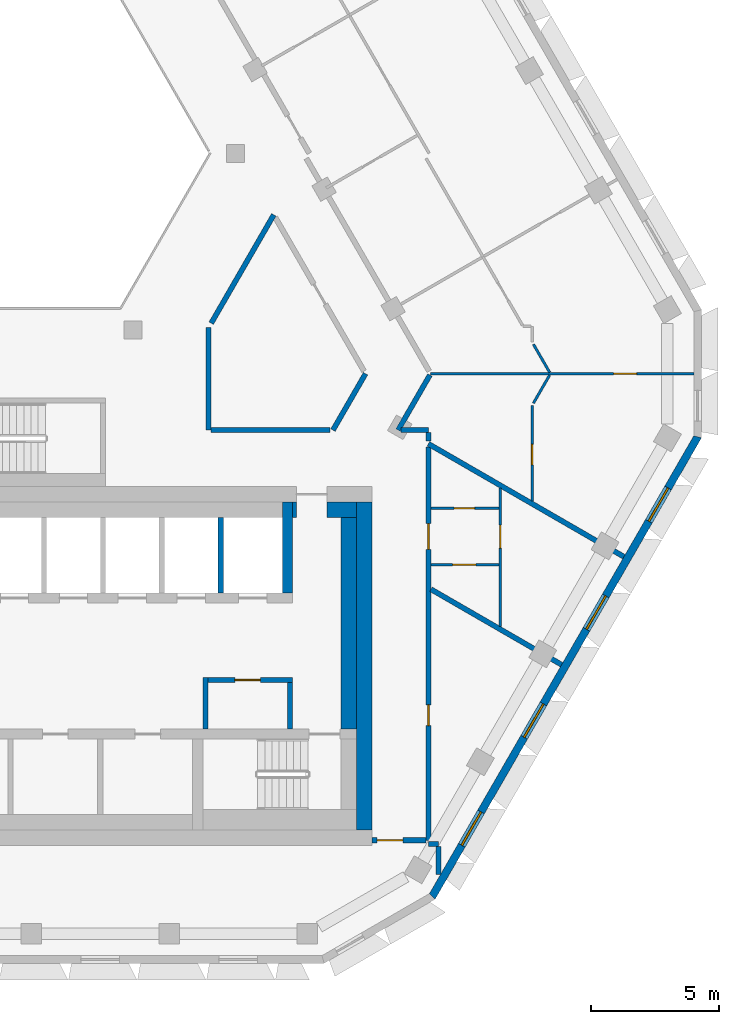
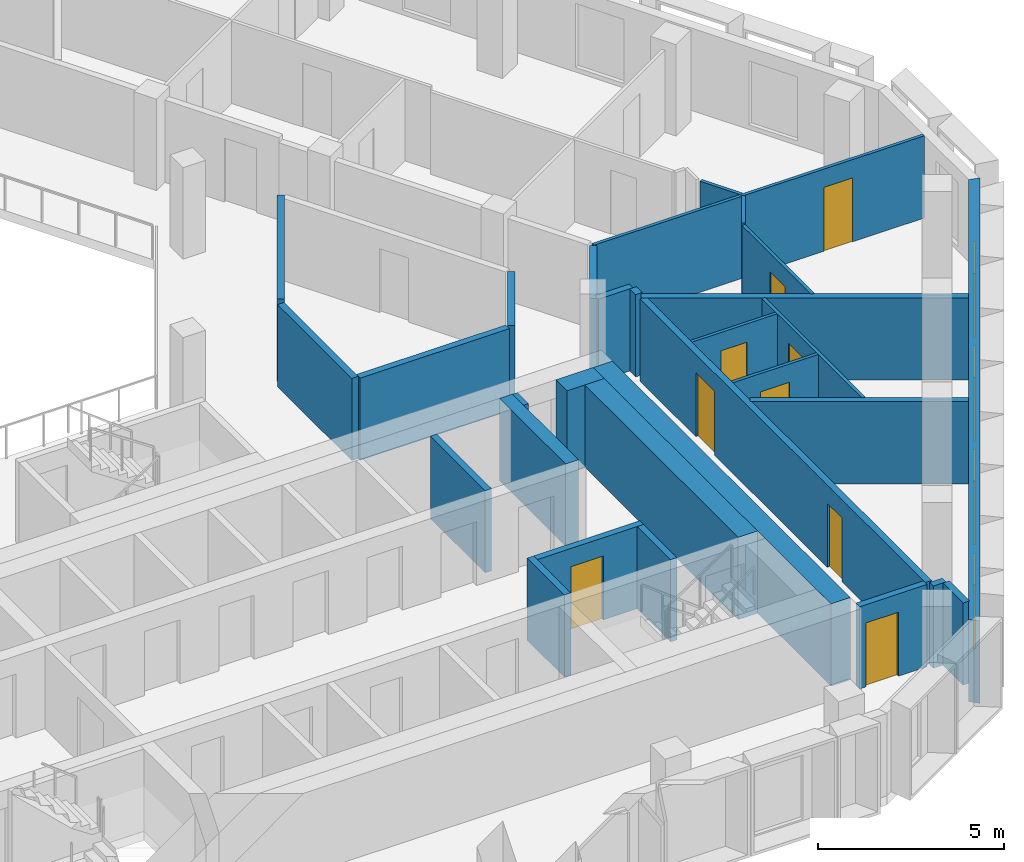
# One storey, part 5 of 15: 30 walls, 9 doors, 4 windows, 13 openings.
"""IFC4 building model written with IfcOpenShell, lengths in metres."""

from ifc_helpers import new_model, si_unit, direction, frame, frame_2d, origin, place, context, subcontext, project, spatial, polyline, rectangle, outline, extrude, material, layer, layer_set, type_object, element, fill, save


model = new_model("IFC4")

# Units and contexts
model_context = context("Model", 3, precision=1e-05, world=origin(), true_north=direction((0.0, 1.0)))
body_context = subcontext(model_context, "Body", "Model", "MODEL_VIEW")
ifc_project = project(units=[si_unit("LENGTHUNIT", "METRE"), si_unit("AREAUNIT", "SQUARE_METRE"), si_unit("VOLUMEUNIT", "CUBIC_METRE"), si_unit("PLANEANGLEUNIT", "RADIAN"), si_unit("MASSUNIT", "GRAM", prefix="KILO")], contexts=[model_context])

# Site, building, storey
site_placement = place(None, origin())
site = spatial("IfcSite", under=ifc_project, at=site_placement, CompositionType="ELEMENT")
building_placement = place(site_placement, origin())
building = spatial("IfcBuilding", under=site, at=building_placement, Name="Beryl Residences", CompositionType="ELEMENT")
storey_placement = place(building_placement, frame((0.0, 0.0, 163.199951171875)))
storey = spatial("IfcBuildingStorey", under=building, at=storey_placement, Name="L49", CompositionType="ELEMENT", Elevation=163.199951171875)

# Wall, openings, windows
ifc_material_1 = material(Name="Composite metal panel with mineral wool insulation")
ifc_layer_1 = layer(ifc_material_1, 0.300048828125)
ifc_layer_set_1 = layer_set([ifc_layer_1], Name="ES1 pale metal composite panel wall 300 mm")
wall_type_1 = type_object("IfcWallType", Name="ES1 pale metal composite panel wall 300 mm", PredefinedType="SOLIDWALL", material=ifc_layer_set_1)
wall_1_placement = place(storey_placement, frame((15.631103515625, -21.02490234375, 0.0), z_axis=(0.0, 0.0, 1.0), x_axis=(0.500018670445, 0.86601462413, 0.0)))
wall_1 = element("IfcWall", 1, at=wall_1_placement, inside=storey, type_object=wall_type_1, Name="ES1 external wall L49 SE", PredefinedType="SOLIDWALL", context=body_context, shape_type="SweptSolid", body=[
    extrude(outline(polyline([(0.0, -0.14990234375), (20.784912109375, -0.14990234375), (20.70458984375, 0.14990234375), (0.080322265625, 0.14990234375), (0.0, -0.14990234375)])), origin(), (0.0, 0.0, 1.0), 2.699951171875),
])
opening_1_placement = place(wall_1_placement, frame((2.345947265625, 0.0, 0.14990234375)))
opening_1 = element("IfcOpeningElement", 2, at=opening_1_placement, cuts=wall_1, Name="Opening W1", PredefinedType="OPENING", context=body_context, shape_type="SweptSolid", body=[
    extrude(rectangle(XDim=1.5, YDim=2.10009765625, at=frame_2d((0.75, 1.050048828125))), frame((0.0, 0.159912109375, 0.0), z_axis=(0.0, -1.0, 0.0), x_axis=(1.0, 0.0, 0.0)), (0.0, 0.0, 1.0), 0.320068359375),
])
opening_2_placement = place(wall_1_placement, frame((7.2099609375, 0.0, 0.14990234375)))
opening_2 = element("IfcOpeningElement", 3, at=opening_2_placement, cuts=wall_1, Name="Opening W1", PredefinedType="OPENING", context=body_context, shape_type="SweptSolid", body=[
    extrude(rectangle(XDim=1.5, YDim=2.10009765625, at=frame_2d((0.75, 1.050048828125))), frame((0.0, 0.159912109375, 0.0), z_axis=(0.0, -1.0, 0.0), x_axis=(1.0, 0.0, 0.0)), (0.0, 0.0, 1.0), 0.320068359375),
])
opening_3_placement = place(wall_1_placement, frame((12.072998046875, 0.0, 0.14990234375)))
opening_3 = element("IfcOpeningElement", 4, at=opening_3_placement, cuts=wall_1, Name="Opening W1", PredefinedType="OPENING", context=body_context, shape_type="SweptSolid", body=[
    extrude(rectangle(XDim=1.5, YDim=2.10009765625, at=frame_2d((0.75, 1.050048828125))), frame((0.0, 0.159912109375, 0.0), z_axis=(0.0, -1.0, 0.0), x_axis=(1.0, 0.0, 0.0)), (0.0, 0.0, 1.0), 0.320068359375),
])
opening_4_placement = place(wall_1_placement, frame((16.93798828125, 0.0, 0.14990234375)))
opening_4 = element("IfcOpeningElement", 5, at=opening_4_placement, cuts=wall_1, Name="Opening W1", PredefinedType="OPENING", context=body_context, shape_type="SweptSolid", body=[
    extrude(rectangle(XDim=1.5, YDim=2.10009765625, at=frame_2d((0.75, 1.050048828125))), frame((0.0, 0.159912109375, 0.0), z_axis=(0.0, -1.0, 0.0), x_axis=(1.0, 0.0, 0.0)), (0.0, 0.0, 1.0), 0.320068359375),
])
ifc_material_2 = material(Name="Aluminium and clear glass", Category="aluminium")
window_type = type_object("IfcWindowType", Name="W1 cell window 1500 x 2100 mm", PartitioningType="SINGLE_PANEL", PredefinedType="WINDOW", material=ifc_material_2)
window_1_placement = place(opening_1_placement, origin())
window_1 = element("IfcWindow", 6, at=window_1_placement, inside=storey, type_object=window_type, Name="W1 window L49 SE 2", OverallHeight=2.10009765625, OverallWidth=1.5, PartitioningType="SINGLE_PANEL", PredefinedType="WINDOW", context=body_context, shape_type="SweptSolid", body=[
    extrude(rectangle(XDim=1.5, YDim=2.10009765625, at=frame_2d((0.75, 1.050048828125))), frame((0.0, 0.030029296875, 0.0), z_axis=(0.0, -1.0, 0.0), x_axis=(1.0, 0.0, 0.0)), (0.0, 0.0, 1.0), 0.06005859375),
])
fill(opening_1, window_1)
window_2_placement = place(opening_2_placement, origin())
window_2 = element("IfcWindow", 7, at=window_2_placement, inside=storey, type_object=window_type, Name="W1 window L49 SE 4", OverallHeight=2.10009765625, OverallWidth=1.5, PartitioningType="SINGLE_PANEL", PredefinedType="WINDOW", context=body_context, shape_type="SweptSolid", body=[
    extrude(rectangle(XDim=1.5, YDim=2.10009765625, at=frame_2d((0.75, 1.050048828125))), frame((0.0, 0.030029296875, 0.0), z_axis=(0.0, -1.0, 0.0), x_axis=(1.0, 0.0, 0.0)), (0.0, 0.0, 1.0), 0.06005859375),
])
fill(opening_2, window_2)
window_3_placement = place(opening_3_placement, origin())
window_3 = element("IfcWindow", 8, at=window_3_placement, inside=storey, type_object=window_type, Name="W1 window L49 SE 6", OverallHeight=2.10009765625, OverallWidth=1.5, PartitioningType="SINGLE_PANEL", PredefinedType="WINDOW", context=body_context, shape_type="SweptSolid", body=[
    extrude(rectangle(XDim=1.5, YDim=2.10009765625, at=frame_2d((0.75, 1.050048828125))), frame((0.0, 0.030029296875, 0.0), z_axis=(0.0, -1.0, 0.0), x_axis=(1.0, 0.0, 0.0)), (0.0, 0.0, 1.0), 0.06005859375),
])
fill(opening_3, window_3)
window_4_placement = place(opening_4_placement, origin())
window_4 = element("IfcWindow", 9, at=window_4_placement, inside=storey, type_object=window_type, Name="W1 window L49 SE 8", OverallHeight=2.10009765625, OverallWidth=1.5, PartitioningType="SINGLE_PANEL", PredefinedType="WINDOW", context=body_context, shape_type="SweptSolid", body=[
    extrude(rectangle(XDim=1.5, YDim=2.10009765625, at=frame_2d((0.75, 1.050048828125))), frame((0.0, 0.030029296875, 0.0), z_axis=(0.0, -1.0, 0.0), x_axis=(1.0, 0.0, 0.0)), (0.0, 0.0, 1.0), 0.06005859375),
])
fill(opening_4, window_4)

# Wall
ifc_material_3 = material(Name="Gypsum board partition on steel studs", Category="steel")
ifc_layer_2 = layer(ifc_material_3, 0.10009765625)
ifc_layer_set_2 = layer_set([ifc_layer_2], Name="PT1 partition 100 mm gypsum board on steel studs")
wall_type_2 = type_object("IfcWallType", Name="PT1 partition 100 mm gypsum board on steel studs", PredefinedType="PARTITIONING", material=ifc_layer_set_2)
wall_2_placement = place(storey_placement, frame((19.596923828125, 0.551025390625, 0.0), z_axis=(0.0, 0.0, 1.0), x_axis=(0.499922110319, -0.866070368743, 0.0)))
element("IfcWall", 10, at=wall_2_placement, inside=storey, type_object=wall_type_2, Name="Wall PT1 L49 004", PredefinedType="PARTITIONING", context=body_context, shape_type="SweptSolid", body=[
    extrude(rectangle(XDim=1.270263671875, YDim=0.10009765625, at=frame_2d((0.63525390625, 0.0))), origin(), (0.0, 0.0, 1.0), 2.699951171875),
])

# Wall, opening, door
wall_3_placement = place(storey_placement, frame((15.60009765625, -5.85107421875, 0.0), z_axis=(0.0, 0.0, 1.0), x_axis=(1.0, 0.0, 0.0)))
wall_3 = element("IfcWall", 11, at=wall_3_placement, inside=storey, type_object=wall_type_2, Name="Wall PT1 L49 017", PredefinedType="PARTITIONING", context=body_context, shape_type="SweptSolid", body=[
    extrude(rectangle(XDim=2.64990234375, YDim=0.10009765625, at=frame_2d((1.324951171875, 0.0))), origin(), (0.0, 0.0, 1.0), 2.699951171875),
])
opening_5_placement = place(wall_3_placement, frame((0.89990234375, 0.0, 0.0)))
opening_5 = element("IfcOpeningElement", 12, at=opening_5_placement, cuts=wall_3, Name="Opening D1612", PredefinedType="OPENING", context=body_context, shape_type="SweptSolid", body=[
    extrude(rectangle(XDim=0.800048828125, YDim=2.10009765625, at=frame_2d((0.39990234375, 1.050048828125))), frame((0.0, 0.06005859375, 0.0), z_axis=(0.0, -1.0, 0.0), x_axis=(1.0, 0.0, 0.0)), (0.0, 0.0, 1.0), 0.1201171875),
])
ifc_material_4 = material(Name="Timber door leaf", Category="wood")
door_type_1 = type_object("IfcDoorType", Name="D3 bathroom door 800 x 2100 mm", OperationType="SINGLE_SWING_LEFT", PredefinedType="DOOR", material=ifc_material_4)
door_1_placement = place(opening_5_placement, origin())
door_1 = element("IfcDoor", 13, at=door_1_placement, inside=storey, type_object=door_type_1, Name="Door D1612 L49 001", OperationType="SINGLE_SWING_RIGHT", OverallHeight=2.10009765625, OverallWidth=0.800048828125, PredefinedType="DOOR", context=body_context, shape_type="SweptSolid", body=[
    extrude(rectangle(XDim=0.800048828125, YDim=2.10009765625, at=frame_2d((0.39990234375, 1.050048828125))), frame((0.0, 0.02490234375, 0.0), z_axis=(0.0, -1.0, 0.0), x_axis=(1.0, 0.0, 0.0)), (0.0, 0.0, 1.0), 0.050048828125),
])
fill(opening_5, door_1)

wall_4_placement = place(storey_placement, frame((15.587890625, -0.59912109375, 0.0), z_axis=(0.0, 0.0, 1.0), x_axis=(1.0, 0.0, 0.0)))
wall_4 = element("IfcWall", 14, at=wall_4_placement, inside=storey, type_object=wall_type_2, Name="Wall PT1 L49 018", PredefinedType="PARTITIONING", context=body_context, shape_type="SweptSolid", body=[
    extrude(rectangle(XDim=10.26611328125, YDim=0.10009765625, at=frame_2d((5.133056640625, 0.0))), origin(), (0.0, 0.0, 1.0), 2.699951171875),
])
opening_6_placement = place(wall_4_placement, frame((7.135009765625, 0.0, 0.0)))
opening_6 = element("IfcOpeningElement", 15, at=opening_6_placement, cuts=wall_4, Name="Opening D1621", PredefinedType="OPENING", context=body_context, shape_type="SweptSolid", body=[
    extrude(rectangle(XDim=0.89990234375, YDim=2.10009765625, at=frame_2d((0.449951171875, 1.050048828125))), frame((0.0, 0.06005859375, 0.0), z_axis=(0.0, -1.0, 0.0), x_axis=(1.0, 0.0, 0.0)), (0.0, 0.0, 1.0), 0.1201171875),
])
ifc_material_5 = material(Name="Timber door leaf", Category="wood")
door_type_2 = type_object("IfcDoorType", Name="D2 room door 900 x 2100 mm", OperationType="SINGLE_SWING_LEFT", PredefinedType="DOOR", material=ifc_material_5)
door_2_placement = place(opening_6_placement, origin())
door_2 = element("IfcDoor", 16, at=door_2_placement, inside=storey, type_object=door_type_2, Name="Door D1621 L49 001", OperationType="SINGLE_SWING_LEFT", OverallHeight=2.10009765625, OverallWidth=0.89990234375, PredefinedType="DOOR", context=body_context, shape_type="SweptSolid", body=[
    extrude(rectangle(XDim=0.89990234375, YDim=2.10009765625, at=frame_2d((0.449951171875, 1.050048828125))), frame((0.0, 0.02490234375, 0.0), z_axis=(0.0, -1.0, 0.0), x_axis=(1.0, 0.0, 0.0)), (0.0, 0.0, 1.0), 0.050048828125),
])
fill(opening_6, door_2)

wall_5_placement = place(storey_placement, frame((15.60009765625, -8.051025390625, 0.0), z_axis=(0.0, 0.0, 1.0), x_axis=(1.0, 0.0, 0.0)))
wall_5 = element("IfcWall", 17, at=wall_5_placement, inside=storey, type_object=wall_type_2, Name="Wall PT1 L49 019", PredefinedType="PARTITIONING", context=body_context, shape_type="SweptSolid", body=[
    extrude(rectangle(XDim=2.64990234375, YDim=0.10009765625, at=frame_2d((1.324951171875, 0.0))), origin(), (0.0, 0.0, 1.0), 2.699951171875),
])
opening_7_placement = place(wall_5_placement, frame((0.85009765625, 0.0, 0.0)))
opening_7 = element("IfcOpeningElement", 18, at=opening_7_placement, cuts=wall_5, Name="Opening D1613", PredefinedType="OPENING", context=body_context, shape_type="SweptSolid", body=[
    extrude(rectangle(XDim=0.89990234375, YDim=2.10009765625, at=frame_2d((0.449951171875, 1.050048828125))), frame((0.0, 0.06005859375, 0.0), z_axis=(0.0, -1.0, 0.0), x_axis=(1.0, 0.0, 0.0)), (0.0, 0.0, 1.0), 0.1201171875),
])
door_3_placement = place(opening_7_placement, origin())
door_3 = element("IfcDoor", 19, at=door_3_placement, inside=storey, type_object=door_type_2, Name="Door D1613 L49 001", OperationType="SINGLE_SWING_LEFT", OverallHeight=2.10009765625, OverallWidth=0.89990234375, PredefinedType="DOOR", context=body_context, shape_type="SweptSolid", body=[
    extrude(rectangle(XDim=0.89990234375, YDim=2.10009765625, at=frame_2d((0.449951171875, 1.050048828125))), frame((0.0, 0.02490234375, 0.0), z_axis=(0.0, -1.0, 0.0), x_axis=(1.0, 0.0, 0.0)), (0.0, 0.0, 1.0), 0.050048828125),
])
fill(opening_7, door_3)

# Wall
wall_6_placement = place(storey_placement, frame((19.596923828125, -1.75, 0.0), z_axis=(0.0, 0.0, 1.0), x_axis=(0.499589422776, 0.866262320923, 0.0)))
element("IfcWall", 20, at=wall_6_placement, inside=storey, type_object=wall_type_2, Name="Wall PT1 L49 025", PredefinedType="PARTITIONING", context=body_context, shape_type="SweptSolid", body=[
    extrude(rectangle(XDim=1.27099609375, YDim=0.10009765625, at=frame_2d((0.635498046875, 0.0))), origin(), (0.0, 0.0, 1.0), 2.699951171875),
])

# Wall, opening, door
wall_7_placement = place(storey_placement, frame((18.300048828125, -10.451904296875, 0.0), z_axis=(0.0, 0.0, 1.0), x_axis=(0.0, 1.0, 0.0)))
wall_7 = element("IfcWall", 21, at=wall_7_placement, inside=storey, type_object=wall_type_2, Name="Wall PT1 L49 033", PredefinedType="PARTITIONING", context=body_context, shape_type="SweptSolid", body=[
    extrude(rectangle(XDim=5.385986328125, YDim=0.10009765625, at=frame_2d((2.69287109375, 0.0))), origin(), (0.0, 0.0, 1.0), 2.699951171875),
])
opening_8_placement = place(wall_7_placement, frame((3.051025390625, 0.0, 0.0)))
opening_8 = element("IfcOpeningElement", 22, at=opening_8_placement, cuts=wall_7, Name="Opening D1614", PredefinedType="OPENING", context=body_context, shape_type="SweptSolid", body=[
    extrude(rectangle(XDim=0.89990234375, YDim=2.10009765625, at=frame_2d((0.449951171875, 1.050048828125))), frame((0.0, 0.06005859375, 0.0), z_axis=(0.0, -1.0, 0.0), x_axis=(1.0, 0.0, 0.0)), (0.0, 0.0, 1.0), 0.1201171875),
])
door_4_placement = place(opening_8_placement, origin())
door_4 = element("IfcDoor", 23, at=door_4_placement, inside=storey, type_object=door_type_2, Name="Door D1614 L49 001", OperationType="SINGLE_SWING_RIGHT", OverallHeight=2.10009765625, OverallWidth=0.89990234375, PredefinedType="DOOR", context=body_context, shape_type="SweptSolid", body=[
    extrude(rectangle(XDim=0.89990234375, YDim=2.10009765625, at=frame_2d((0.449951171875, 1.050048828125))), frame((0.0, 0.02490234375, 0.0), z_axis=(0.0, -1.0, 0.0), x_axis=(1.0, 0.0, 0.0)), (0.0, 0.0, 1.0), 0.050048828125),
])
fill(opening_8, door_4)

wall_8_placement = place(storey_placement, frame((19.547119140625, -5.554931640625, 0.0), z_axis=(0.0, 0.0, 1.0), x_axis=(0.0, 1.0, 0.0)))
wall_8 = element("IfcWall", 24, at=wall_8_placement, inside=storey, type_object=wall_type_2, Name="Wall PT1 L49 034", PredefinedType="PARTITIONING", context=body_context, shape_type="SweptSolid", body=[
    extrude(rectangle(XDim=3.718994140625, YDim=0.10009765625, at=frame_2d((1.859375, 0.0))), origin(), (0.0, 0.0, 1.0), 2.699951171875),
])
opening_9_placement = place(wall_8_placement, frame((1.402099609375, 0.0, 0.0)))
opening_9 = element("IfcOpeningElement", 25, at=opening_9_placement, cuts=wall_8, Name="Opening D1623", PredefinedType="OPENING", context=body_context, shape_type="SweptSolid", body=[
    extrude(rectangle(XDim=0.800048828125, YDim=2.10009765625, at=frame_2d((0.39990234375, 1.050048828125))), frame((0.0, 0.06005859375, 0.0), z_axis=(0.0, -1.0, 0.0), x_axis=(1.0, 0.0, 0.0)), (0.0, 0.0, 1.0), 0.1201171875),
])
door_5_placement = place(opening_9_placement, origin())
door_5 = element("IfcDoor", 26, at=door_5_placement, inside=storey, type_object=door_type_1, Name="Door D1623 L49 001", OperationType="SINGLE_SWING_LEFT", OverallHeight=2.10009765625, OverallWidth=0.800048828125, PredefinedType="DOOR", context=body_context, shape_type="SweptSolid", body=[
    extrude(rectangle(XDim=0.800048828125, YDim=2.10009765625, at=frame_2d((0.39990234375, 1.050048828125))), frame((0.0, 0.02490234375, 0.0), z_axis=(0.0, -1.0, 0.0), x_axis=(1.0, 0.0, 0.0)), (0.0, 0.0, 1.0), 0.050048828125),
])
fill(opening_9, door_5)

# Wall
ifc_material_6 = material(Name="Concrete masonry", Category="masonry")
ifc_layer_3 = layer(ifc_material_6, 0.199951171875)
ifc_layer_set_3 = layer_set([ifc_layer_3], Name="PT13 lobby wall 200 mm")
wall_type_3 = type_object("IfcWallType", Name="PT13 lobby wall 200 mm", PredefinedType="PARTITIONING", material=ifc_layer_set_3)
wall_9_placement = place(storey_placement, frame((6.800048828125, -14.449951171875, 0.0), z_axis=(0.0, 0.0, 1.0), x_axis=(0.0, 1.0, 0.0)))
element("IfcWall", 27, at=wall_9_placement, inside=storey, type_object=wall_type_3, Name="Lobby wall 24", PredefinedType="PARTITIONING", context=body_context, shape_type="SweptSolid", body=[
    extrude(rectangle(XDim=2.0, YDim=0.199951171875, at=frame_2d((1.0, 0.0))), origin(), (0.0, 0.0, 1.0), 2.699951171875),
])

# Wall, opening, door
wall_10_placement = place(storey_placement, frame((6.89990234375, -12.550048828125, 0.0), z_axis=(0.0, 0.0, 1.0), x_axis=(1.0, 0.0, 0.0)))
wall_10 = element("IfcWall", 28, at=wall_10_placement, inside=storey, type_object=wall_type_3, Name="Lobby wall 25", PredefinedType="PARTITIONING", context=body_context, shape_type="SweptSolid", body=[
    extrude(rectangle(XDim=3.300048828125, YDim=0.199951171875, at=frame_2d((1.64990234375, 0.0))), origin(), (0.0, 0.0, 1.0), 2.699951171875),
])
opening_10_placement = place(wall_10_placement, frame((2.050048828125, 0.0, 0.0), z_axis=(0.0, 0.0, 1.0), x_axis=(-1.0, 0.0, 0.0)))
opening_10 = element("IfcOpeningElement", 29, at=opening_10_placement, cuts=wall_10, Name="Opening CD-D-A1", PredefinedType="OPENING", context=body_context, shape_type="SweptSolid", body=[
    extrude(rectangle(XDim=1.0, YDim=2.10009765625, at=frame_2d((0.5, 1.050048828125))), frame((0.0, 0.10986328125, 0.0), z_axis=(0.0, -1.0, 0.0), x_axis=(1.0, 0.0, 0.0)), (0.0, 0.0, 1.0), 0.219970703125),
])
ifc_material_7 = material(Name="Steel door leaf in steel frame", Category="steel")
door_type_3 = type_object("IfcDoorType", Name="D18 service room door 1000 x 2100 mm", OperationType="SINGLE_SWING_LEFT", PredefinedType="DOOR", material=ifc_material_7)
door_6_placement = place(opening_10_placement, origin())
door_6 = element("IfcDoor", 30, at=door_6_placement, inside=storey, type_object=door_type_3, Name="Door CD-D-A1 L49 001", OperationType="SINGLE_SWING_RIGHT", OverallHeight=2.10009765625, OverallWidth=1.0, PredefinedType="DOOR", context=body_context, shape_type="SweptSolid", body=[
    extrude(rectangle(XDim=1.0, YDim=2.10009765625, at=frame_2d((0.5, 1.050048828125))), frame((0.0, 0.02490234375, 0.0), z_axis=(0.0, -1.0, 0.0), x_axis=(1.0, 0.0, 0.0)), (0.0, 0.0, 1.0), 0.050048828125),
])
fill(opening_10, door_6)

# Walls
wall_11_placement = place(storey_placement, frame((10.10009765625, -14.449951171875, 0.0), z_axis=(0.0, 0.0, 1.0), x_axis=(0.0, 1.0, 0.0)))
element("IfcWall", 31, at=wall_11_placement, inside=storey, type_object=wall_type_3, Name="Lobby wall 27", PredefinedType="PARTITIONING", context=body_context, shape_type="SweptSolid", body=[
    extrude(rectangle(XDim=1.800048828125, YDim=0.199951171875, at=frame_2d((0.89990234375, 0.0))), origin(), (0.0, 0.0, 1.0), 2.699951171875),
])
ifc_material_8 = material(Name="Concrete masonry", Category="masonry")
ifc_layer_4 = layer(ifc_material_8, 0.14990234375)
ifc_layer_set_4 = layer_set([ifc_layer_4], Name="PT13-150 lobby wall 150 mm")
wall_type_4 = type_object("IfcWallType", Name="PT13-150 lobby wall 150 mm", PredefinedType="PARTITIONING", material=ifc_layer_set_4)
wall_12_placement = place(storey_placement, frame((10.27490234375, -6.199951171875, 0.0), z_axis=(0.0, 0.0, 1.0), x_axis=(0.0, 1.0, 0.0)))
element("IfcWall", 32, at=wall_12_placement, inside=storey, type_object=wall_type_4, Name="Lobby wall 28", PredefinedType="PARTITIONING", context=body_context, shape_type="SweptSolid", body=[
    extrude(rectangle(XDim=0.599853515625, YDim=0.14990234375, at=frame_2d((0.2998046875, 0.0))), origin(), (0.0, 0.0, 1.0), 2.699951171875),
])
ifc_material_9 = material(Name="Concrete masonry", Category="masonry")
ifc_layer_5 = layer(ifc_material_9, 0.60009765625)
ifc_layer_set_5 = layer_set([ifc_layer_5], Name="PT13-600 lobby wall 600 mm")
wall_type_5 = type_object("IfcWallType", Name="PT13-600 lobby wall 600 mm", PredefinedType="PARTITIONING", material=ifc_layer_set_5)
wall_13_placement = place(storey_placement, frame((11.550048828125, -5.89990234375, 0.0), z_axis=(0.0, 0.0, 1.0), x_axis=(1.0, 0.0, 0.0)))
element("IfcWall", 33, at=wall_13_placement, inside=storey, type_object=wall_type_5, Name="Lobby wall 29", PredefinedType="PARTITIONING", context=body_context, shape_type="SweptSolid", body=[
    extrude(rectangle(XDim=1.14990234375, YDim=0.60009765625, at=frame_2d((0.574951171875, 0.0))), origin(), (0.0, 0.0, 1.0), 2.699951171875),
])
wall_14_placement = place(storey_placement, frame((12.39990234375, -14.449951171875, 0.0), z_axis=(0.0, 0.0, 1.0), x_axis=(0.0, 1.0, 0.0)))
element("IfcWall", 34, at=wall_14_placement, inside=storey, type_object=wall_type_5, Name="Lobby wall 31", PredefinedType="PARTITIONING", context=body_context, shape_type="SweptSolid", body=[
    extrude(rectangle(XDim=8.25, YDim=0.60009765625, at=frame_2d((4.125, 0.0))), origin(), (0.0, 0.0, 1.0), 2.699951171875),
])
ifc_material_10 = material(Name="Acoustic double stud gypsum board wall")
ifc_layer_6 = layer(ifc_material_10, 0.199951171875)
ifc_layer_set_6 = layer_set([ifc_layer_6], Name="PT3 party wall 200 mm acoustic double stud")
wall_type_6 = type_object("IfcWallType", Name="PT3 party wall 200 mm acoustic double stud", PredefinedType="PARTITIONING", material=ifc_layer_set_6)
wall_15_placement = place(storey_placement, frame((15.89990234375, -19.051025390625, 0.0), z_axis=(0.0, 0.0, 1.0), x_axis=(0.0, -1.0, 0.0)))
element("IfcWall", 35, at=wall_15_placement, inside=storey, type_object=wall_type_6, Name="Wall PT3 L49 001", PredefinedType="PARTITIONING", context=body_context, shape_type="SweptSolid", body=[
    extrude(rectangle(XDim=1.0869140625, YDim=0.199951171875, at=frame_2d((0.54345703125, 0.0))), origin(), (0.0, 0.0, 1.0), 2.699951171875),
])
wall_16_placement = place(storey_placement, frame((15.60009765625, -9.008056640625, 0.0), z_axis=(0.0, 0.0, 1.0), x_axis=(0.866013576751, -0.500020484464, 0.0)))
element("IfcWall", 36, at=wall_16_placement, inside=storey, type_object=wall_type_6, Name="Wall PT3 L49 003", PredefinedType="PARTITIONING", context=body_context, shape_type="SweptSolid", body=[
    extrude(rectangle(XDim=5.885498046875, YDim=0.199951171875, at=frame_2d((2.94287109375, 0.0))), origin(), (0.0, 0.0, 1.0), 2.699951171875),
])
wall_17_placement = place(storey_placement, frame((15.5, -3.333984375, 0.0), z_axis=(0.0, 0.0, 1.0), x_axis=(0.866001896501, -0.5000407136, 0.0)))
element("IfcWall", 37, at=wall_17_placement, inside=storey, type_object=wall_type_6, Name="Wall PT3 L49 004", PredefinedType="PARTITIONING", context=body_context, shape_type="SweptSolid", body=[
    extrude(rectangle(XDim=8.809326171875, YDim=0.199951171875, at=frame_2d((4.40478515625, 0.0))), origin(), (0.0, 0.0, 1.0), 2.699951171875),
])
wall_18_placement = place(storey_placement, frame((15.4990234375, -18.949951171875, 0.0), z_axis=(0.0, 0.0, 1.0), x_axis=(1.0, 0.0, 0.0)))
element("IfcWall", 38, at=wall_18_placement, inside=storey, type_object=wall_type_6, Name="Wall PT3 L49 013", PredefinedType="PARTITIONING", context=body_context, shape_type="SweptSolid", body=[
    extrude(rectangle(XDim=0.39990234375, YDim=0.199951171875, at=frame_2d((0.199951171875, 0.0))), origin(), (0.0, 0.0, 1.0), 2.699951171875),
])
ifc_material_11 = material(Name="Double stud gypsum board wall")
ifc_layer_7 = layer(ifc_material_11, 0.199951171875)
ifc_layer_set_7 = layer_set([ifc_layer_7], Name="PT4 corridor wall 200 mm double stud")
wall_type_7 = type_object("IfcWallType", Name="PT4 corridor wall 200 mm double stud", PredefinedType="PARTITIONING", material=ifc_layer_set_7)
wall_19_placement = place(storey_placement, frame((15.5, -2.90087890625, 0.0), z_axis=(0.0, 0.0, 1.0), x_axis=(0.0, -1.0, 0.0)))
element("IfcWall", 39, at=wall_19_placement, inside=storey, type_object=wall_type_7, Name="Wall PT4 L49 007", PredefinedType="PARTITIONING", context=body_context, shape_type="SweptSolid", body=[
    extrude(rectangle(XDim=0.318115234375, YDim=0.199951171875, at=frame_2d((0.1591796875, 0.0))), origin(), (0.0, 0.0, 1.0), 2.699951171875),
])

# Wall, opening, door
wall_20_placement = place(storey_placement, frame((13.300048828125, -18.800048828125, 0.0), z_axis=(0.0, 0.0, 1.0), x_axis=(1.0, 0.0, 0.0)))
wall_20 = element("IfcWall", 40, at=wall_20_placement, inside=storey, type_object=wall_type_7, Name="Wall PT4 L49 009", PredefinedType="PARTITIONING", context=body_context, shape_type="SweptSolid", body=[
    extrude(rectangle(XDim=2.098876953125, YDim=0.199951171875, at=frame_2d((1.04931640625, 0.0))), origin(), (0.0, 0.0, 1.0), 2.699951171875),
])
opening_11_placement = place(wall_20_placement, frame((0.199951171875, 0.0, 0.0)))
opening_11 = element("IfcOpeningElement", 41, at=opening_11_placement, cuts=wall_20, Name="Opening D1644", PredefinedType="OPENING", context=body_context, shape_type="SweptSolid", body=[
    extrude(rectangle(XDim=1.0, YDim=2.10009765625, at=frame_2d((0.5, 1.050048828125))), frame((0.0, 0.10986328125, 0.0), z_axis=(0.0, -1.0, 0.0), x_axis=(1.0, 0.0, 0.0)), (0.0, 0.0, 1.0), 0.219970703125),
])
ifc_material_12 = material(Name="Timber door leaf", Category="wood")
door_type_4 = type_object("IfcDoorType", Name="D1 flat entrance door 1000 x 2100 mm", OperationType="SINGLE_SWING_LEFT", PredefinedType="DOOR", material=ifc_material_12)
door_7_placement = place(opening_11_placement, origin())
door_7 = element("IfcDoor", 42, at=door_7_placement, inside=storey, type_object=door_type_4, Name="Door D1644 L49 001", OperationType="SINGLE_SWING_LEFT", OverallHeight=2.10009765625, OverallWidth=1.0, PredefinedType="DOOR", context=body_context, shape_type="SweptSolid", body=[
    extrude(rectangle(XDim=1.0, YDim=2.10009765625, at=frame_2d((0.5, 1.050048828125))), frame((0.0, 0.02490234375, 0.0), z_axis=(0.0, -1.0, 0.0), x_axis=(1.0, 0.0, 0.0)), (0.0, 0.0, 1.0), 0.050048828125),
])
fill(opening_11, door_7)

# Walls
wall_21_placement = place(storey_placement, frame((7.028076171875, -2.800048828125, 0.0), z_axis=(0.0, 0.0, 1.0), x_axis=(1.0, 0.0, 0.0)))
element("IfcWall", 43, at=wall_21_placement, inside=storey, type_object=wall_type_7, Name="Wall PT4 L49 012", PredefinedType="PARTITIONING", context=body_context, shape_type="SweptSolid", body=[
    extrude(rectangle(XDim=4.634033203125, YDim=0.199951171875, at=frame_2d((2.31689453125, 0.0))), origin(), (0.0, 0.0, 1.0), 2.699951171875),
])
wall_22_placement = place(storey_placement, frame((14.43310546875, -2.800048828125, 0.0), z_axis=(0.0, 0.0, 1.0), x_axis=(1.0, 0.0, 0.0)))
element("IfcWall", 44, at=wall_22_placement, inside=storey, type_object=wall_type_7, Name="Wall PT4 L49 013", PredefinedType="PARTITIONING", context=body_context, shape_type="SweptSolid", body=[
    extrude(rectangle(XDim=1.06591796875, YDim=0.199951171875, at=frame_2d((0.532958984375, 0.0))), origin(), (0.0, 0.0, 1.0), 2.699951171875),
])
wall_23_placement = place(storey_placement, frame((7.028076171875, 1.373046875, 0.0), z_axis=(0.0, 0.0, 1.0), x_axis=(0.500065924398, 0.86598733897, 0.0)))
element("IfcWall", 45, at=wall_23_placement, inside=storey, type_object=wall_type_7, Name="Wall PT4 L49 015", PredefinedType="PARTITIONING", context=body_context, shape_type="SweptSolid", body=[
    extrude(rectangle(XDim=4.881103515625, YDim=0.199951171875, at=frame_2d((2.4404296875, 0.0))), origin(), (0.0, 0.0, 1.0), 2.699951171875),
])
wall_24_placement = place(storey_placement, frame((11.777099609375, -2.800048828125, 0.0), z_axis=(0.0, 0.0, 1.0), x_axis=(0.500085537782, 0.86597601289, 0.0)))
element("IfcWall", 46, at=wall_24_placement, inside=storey, type_object=wall_type_7, Name="Wall PT4 L49 016", PredefinedType="PARTITIONING", context=body_context, shape_type="SweptSolid", body=[
    extrude(rectangle(XDim=2.54150390625, YDim=0.199951171875, at=frame_2d((1.270751953125, 0.0))), origin(), (0.0, 0.0, 1.0), 2.699951171875),
])
wall_25_placement = place(storey_placement, frame((14.318115234375, -2.800048828125, 0.0), z_axis=(0.0, 0.0, 1.0), x_axis=(0.49970259524, 0.866197042428, 0.0)))
element("IfcWall", 47, at=wall_25_placement, inside=storey, type_object=wall_type_7, Name="Wall PT4 L49 017", PredefinedType="PARTITIONING", context=body_context, shape_type="SweptSolid", body=[
    extrude(rectangle(XDim=2.4833984375, YDim=0.199951171875, at=frame_2d((1.24169921875, 0.0))), origin(), (0.0, 0.0, 1.0), 2.699951171875),
])
wall_26_placement = place(storey_placement, frame((6.927978515625, -2.800048828125, 0.0), z_axis=(0.0, 0.0, 1.0), x_axis=(0.0, 1.0, 0.0)))
element("IfcWall", 48, at=wall_26_placement, inside=storey, type_object=wall_type_7, Name="Wall PT4 L49 021", PredefinedType="PARTITIONING", context=body_context, shape_type="SweptSolid", body=[
    extrude(rectangle(XDim=4.0, YDim=0.199951171875, at=frame_2d((2.0, 0.0))), origin(), (0.0, 0.0, 1.0), 2.699951171875),
])

# Wall, openings, doors
wall_27_placement = place(storey_placement, frame((15.5, -18.799072265625, 0.0), z_axis=(0.0, 0.0, 1.0), x_axis=(0.0, 1.0, 0.0)))
wall_27 = element("IfcWall", 49, at=wall_27_placement, inside=storey, type_object=wall_type_7, Name="Wall PT4 L49 022", PredefinedType="PARTITIONING", context=body_context, shape_type="SweptSolid", body=[
    extrude(rectangle(XDim=15.34912109375, YDim=0.199951171875, at=frame_2d((7.674560546875, 0.0))), origin(), (0.0, 0.0, 1.0), 2.699951171875),
])
opening_12_placement = place(wall_27_placement, frame((4.47705078125, 0.0, 0.0)))
opening_12 = element("IfcOpeningElement", 50, at=opening_12_placement, cuts=wall_27, Name="Opening D1610", PredefinedType="OPENING", context=body_context, shape_type="SweptSolid", body=[
    extrude(rectangle(XDim=0.800048828125, YDim=2.10009765625, at=frame_2d((0.39990234375, 1.050048828125))), frame((0.0, 0.10986328125, 0.0), z_axis=(0.0, -1.0, 0.0), x_axis=(1.0, 0.0, 0.0)), (0.0, 0.0, 1.0), 0.219970703125),
])
opening_13_placement = place(wall_27_placement, frame((11.347900390625, 0.0, 0.0)))
opening_13 = element("IfcOpeningElement", 51, at=opening_13_placement, cuts=wall_27, Name="Opening D1611", PredefinedType="OPENING", context=body_context, shape_type="SweptSolid", body=[
    extrude(rectangle(XDim=1.0, YDim=2.10009765625, at=frame_2d((0.5, 1.050048828125))), frame((0.0, 0.10986328125, 0.0), z_axis=(0.0, -1.0, 0.0), x_axis=(1.0, 0.0, 0.0)), (0.0, 0.0, 1.0), 0.219970703125),
])
door_8_placement = place(opening_13_placement, origin())
door_8 = element("IfcDoor", 52, at=door_8_placement, inside=storey, type_object=door_type_4, Name="Door D1611 L49 001", OperationType="SINGLE_SWING_LEFT", OverallHeight=2.10009765625, OverallWidth=1.0, PredefinedType="DOOR", context=body_context, shape_type="SweptSolid", body=[
    extrude(rectangle(XDim=1.0, YDim=2.10009765625, at=frame_2d((0.5, 1.050048828125))), frame((0.0, 0.02490234375, 0.0), z_axis=(0.0, -1.0, 0.0), x_axis=(1.0, 0.0, 0.0)), (0.0, 0.0, 1.0), 0.050048828125),
])
fill(opening_13, door_8)
door_9_placement = place(opening_12_placement, origin())
door_9 = element("IfcDoor", 53, at=door_9_placement, inside=storey, type_object=door_type_1, Name="Door D1610 L49 001", OperationType="SINGLE_SWING_RIGHT", OverallHeight=2.10009765625, OverallWidth=0.800048828125, PredefinedType="DOOR", context=body_context, shape_type="SweptSolid", body=[
    extrude(rectangle(XDim=0.800048828125, YDim=2.10009765625, at=frame_2d((0.39990234375, 1.050048828125))), frame((0.0, 0.02490234375, 0.0), z_axis=(0.0, -1.0, 0.0), x_axis=(1.0, 0.0, 0.0)), (0.0, 0.0, 1.0), 0.050048828125),
])
fill(opening_12, door_9)

# Walls
ifc_material_13 = material(Name="Concrete C40/50", Category="concrete")
ifc_layer_8 = layer(ifc_material_13, 0.199951171875)
ifc_layer_set_8 = layer_set([ifc_layer_8], Name="PT6 lift shaft wall 200 mm reinforced concrete C40/50")
wall_type_8 = type_object("IfcWallType", Name="PT6 lift shaft wall 200 mm reinforced concrete C40/50", PredefinedType="SOLIDWALL", material=ifc_layer_set_8)
wall_28_placement = place(storey_placement, frame((7.39990234375, -9.14990234375, 0.0), z_axis=(0.0, 0.0, 1.0), x_axis=(0.0, 1.0, 0.0)))
element("IfcWall", 54, at=wall_28_placement, inside=storey, type_object=wall_type_8, Name="Lift shaft wall 26", PredefinedType="SOLIDWALL", context=body_context, shape_type="SweptSolid", body=[
    extrude(rectangle(XDim=2.949951171875, YDim=0.199951171875, at=frame_2d((1.47509765625, 0.0))), origin(), (0.0, 0.0, 1.0), 2.699951171875),
])
ifc_material_14 = material(Name="Concrete C50/60", Category="concrete")
ifc_layer_9 = layer(ifc_material_14, 0.60009765625)
ifc_layer_set_9 = layer_set([ifc_layer_9], Name="SW4 core outer wall 600 mm C50/60")
wall_type_9 = type_object("IfcWallType", Name="SW4 core outer wall 600 mm C50/60", PredefinedType="SHEAR", material=ifc_layer_set_9)
wall_29_placement = place(storey_placement, frame((13.0, -18.39990234375, 0.0), z_axis=(0.0, 0.0, 1.0), x_axis=(0.0, 1.0, 0.0)))
element("IfcWall", 55, at=wall_29_placement, inside=storey, type_object=wall_type_9, Name="Core wall E L49", PredefinedType="SHEAR", context=body_context, shape_type="SweptSolid", body=[
    extrude(rectangle(XDim=12.7998046875, YDim=0.60009765625, at=frame_2d((6.39990234375, 0.0))), origin(), (0.0, 0.0, 1.0), 2.699951171875),
])
ifc_material_15 = material(Name="Concrete C50/60", Category="concrete")
ifc_layer_10 = layer(ifc_material_15, 0.39990234375)
ifc_layer_set_10 = layer_set([ifc_layer_10], Name="SW9 core internal wall 400 mm C50/60")
wall_type_10 = type_object("IfcWallType", Name="SW9 core internal wall 400 mm C50/60", PredefinedType="SHEAR", material=ifc_layer_set_10)
wall_30_placement = place(storey_placement, frame((10.0, -9.14990234375, 0.0), z_axis=(0.0, 0.0, 1.0), x_axis=(0.0, 1.0, 0.0)))
element("IfcWall", 56, at=wall_30_placement, inside=storey, type_object=wall_type_10, Name="Core wall XN2 L49", PredefinedType="SHEAR", context=body_context, shape_type="SweptSolid", body=[
    extrude(rectangle(XDim=3.5498046875, YDim=0.39990234375, at=frame_2d((1.77490234375, 0.0))), origin(), (0.0, 0.0, 1.0), 2.699951171875),
])

save(model, "model.ifc")
